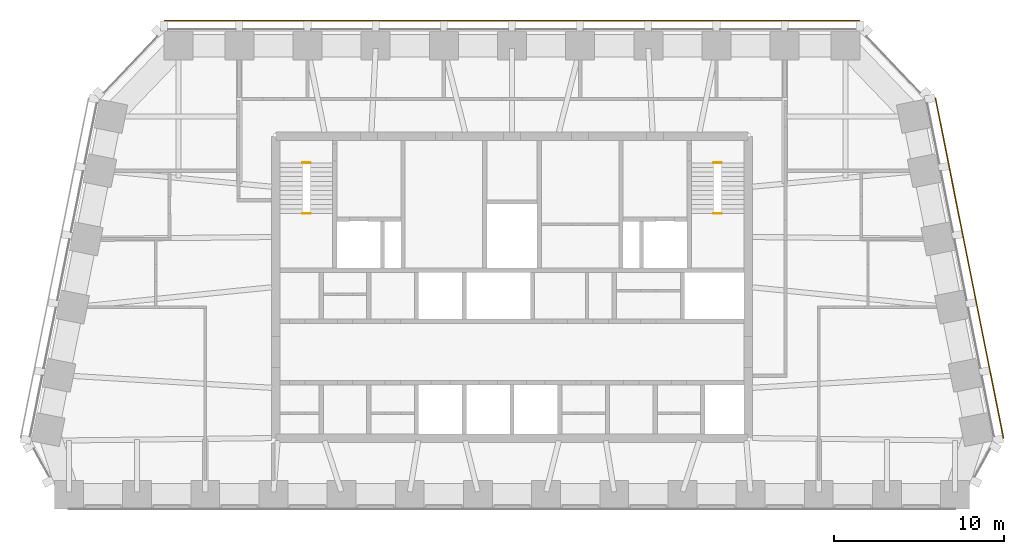
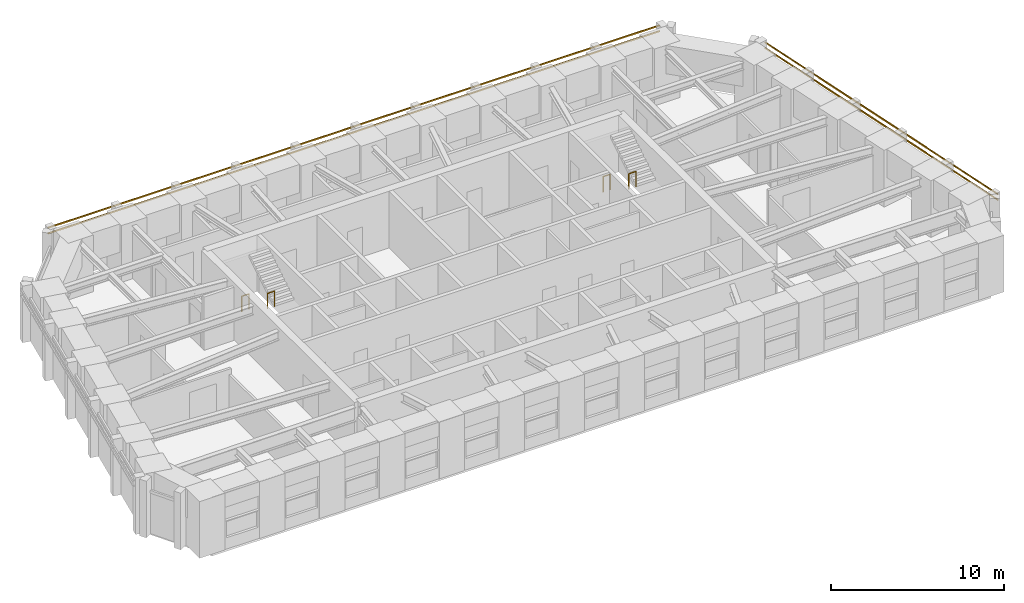
# One storey, part 8 of 8: 4 railings, 4 shading devices.
"""IFC4 building model written with IfcOpenShell, lengths in metres."""

from ifc_helpers import new_model, si_unit, direction, frame, origin, origin_2d, place, context, subcontext, project, spatial, rectangle, circle, extrude, material, material_profile, profile_set, type_object, element, save


model = new_model("IFC4")

# Units and contexts
model_context = context("Model", 3, precision=1e-05, world=origin(), true_north=direction((0.0, 1.0)))
body_context = subcontext(model_context, "Body", "Model", "MODEL_VIEW")
ifc_project = project(units=[si_unit("LENGTHUNIT", "METRE"), si_unit("AREAUNIT", "SQUARE_METRE"), si_unit("VOLUMEUNIT", "CUBIC_METRE"), si_unit("PLANEANGLEUNIT", "RADIAN"), si_unit("MASSUNIT", "GRAM", prefix="KILO")], contexts=[model_context])

# Site, building, storey
site_placement = place(None, origin())
site = spatial("IfcSite", under=ifc_project, at=site_placement, CompositionType="ELEMENT")
building_placement = place(site_placement, origin())
building = spatial("IfcBuilding", under=site, at=building_placement, Name="Isbrekke Arena Tower", CompositionType="ELEMENT")
storey_placement = place(building_placement, frame((0.0, 0.0, 320.0)))
storey = spatial("IfcBuildingStorey", under=building, at=storey_placement, Name="L75", CompositionType="ELEMENT", Elevation=320.0)

# Shading devices
ifc_material_1 = material(Name="Terracotta", Category="masonry")
ifc_material_profile = material_profile(ifc_material_1, rectangle(XDim=0.06005859375, YDim=0.06005859375, at=origin_2d()), Name="BAGUETTE 60X60")
ifc_profile_set = profile_set([ifc_material_profile], Name="Terracotta")
shading_device_type = type_object("IfcShadingDeviceType", Name="BG1 TERRACOTTA BAGUETTE 60 x 60", PredefinedType="USERDEFINED", material=ifc_profile_set)
for number, where, z_axis, x_axis, name in (
    (1, (28.84228515625, 6.12841796875, 3.280029296875), (-0.196116135138, 0.980580675691, 0.0), (-0.980580675691, -0.196116135138, 0.0), "BG1 terracotta baguette E1 L75"),
    (2, (28.84228515625, 6.12841796875, 3.679931640625), (-0.196116135138, 0.980580675691, 0.0), (-0.980580675691, -0.196116135138, 0.0), "BG1 terracotta baguette E2 L75"),
):
    element("IfcShadingDevice", number, at=place(storey_placement, frame(where, z_axis=z_axis, x_axis=x_axis)), inside=storey, type_object=shading_device_type, Name=name, ObjectType="TERRACOTTA BAGUETTE", PredefinedType="USERDEFINED", context=body_context, shape_type="SweptSolid", body=[
        extrude(rectangle(XDim=0.06005859375, YDim=0.06005859375, at=origin_2d()), origin(), (0.0, 0.0, 1.0), 20.39599609375),
    ])
for number, where, z_axis, x_axis, name in (
    (3, (20.39990234375, 30.655029296875, 3.280029296875), (-1.0, 0.0, 0.0), (0.0, -1.0, 0.0), "BG1 terracotta baguette N1 L75"),
    (4, (20.39990234375, 30.655029296875, 3.679931640625), (-1.0, 0.0, 0.0), (0.0, -1.0, 0.0), "BG1 terracotta baguette N2 L75"),
):
    element("IfcShadingDevice", number, at=place(storey_placement, frame(where, z_axis=z_axis, x_axis=x_axis)), inside=storey, type_object=shading_device_type, Name=name, ObjectType="TERRACOTTA BAGUETTE", PredefinedType="USERDEFINED", context=body_context, shape_type="SweptSolid", body=[
        extrude(rectangle(XDim=0.06005859375, YDim=0.06005859375, at=origin_2d()), origin(), (0.0, 0.0, 1.0), 40.7998046875),
    ])

# Railings
ifc_material_2 = material(Name="Steel stair guard, vertical bars, steel handrail", Category="steel")
railing_type = type_object("IfcRailingType", Name="GR3 STAIR WELL GUARD 1100", PredefinedType="GUARDRAIL", material=ifc_material_2)
for number, where, name in (
    (5, (-12.300048828125, 22.300048828125, 0.0), "GR3 stair well guard ST1 L75"),
    (6, (-12.300048828125, 19.330078125, 2.0), "GR3 stair well guard ST1 L75"),
    (7, (11.824951171875, 22.300048828125, 0.0), "GR3 stair well guard ST2 L75"),
    (8, (11.824951171875, 19.330078125, 2.0), "GR3 stair well guard ST2 L75"),
):
    element("IfcRailing", number, at=place(storey_placement, frame(where)), inside=storey, type_object=railing_type, Name=name, PredefinedType="GUARDRAIL", context=body_context, shape_type="SweptSolid", body=[
        extrude(circle(Radius=0.02392578125, at=origin_2d()), frame((0.0, 0.0, 1.076171875), z_axis=(1.0, 0.0, 0.0), x_axis=(0.0, 1.0, 0.0)), (0.0, 0.0, 1.0), 0.47509765625),
        extrude(circle(Radius=0.02099609375, at=origin_2d()), origin(), (0.0, 0.0, 1.0), 1.052001953125),
        extrude(circle(Radius=0.02099609375, at=origin_2d()), frame((0.47509765625, 0.0, 0.0)), (0.0, 0.0, 1.0), 1.052001953125),
    ])

save(model, "model.ifc")
